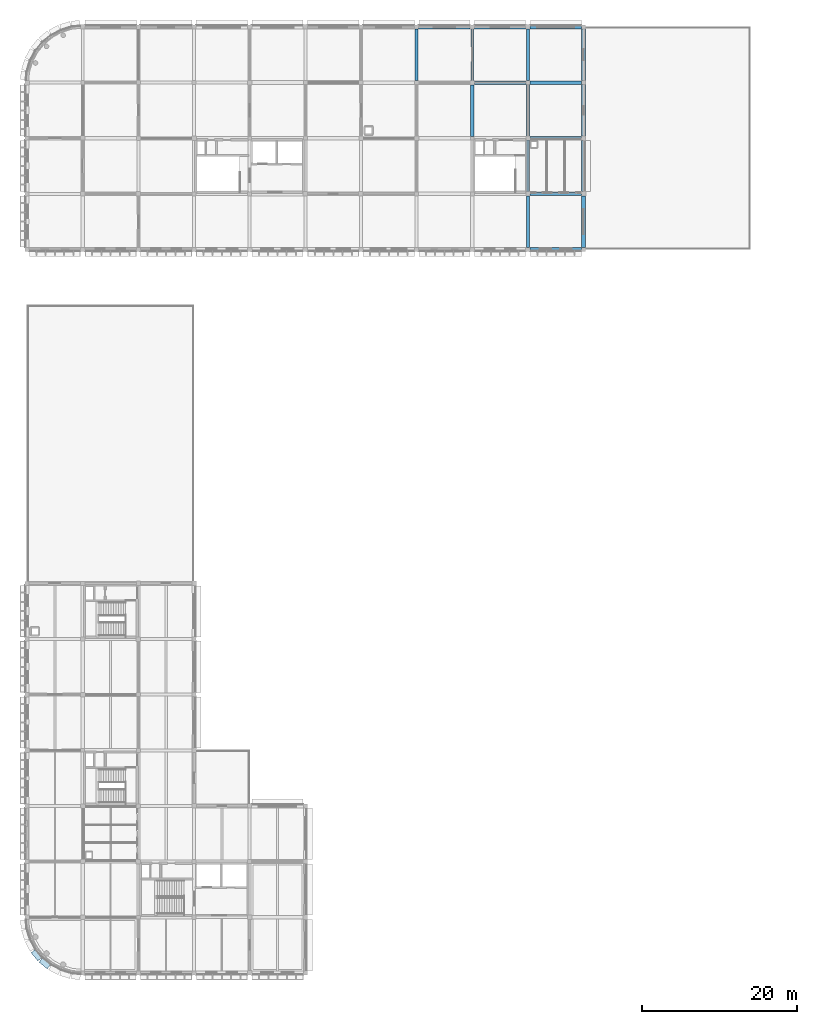
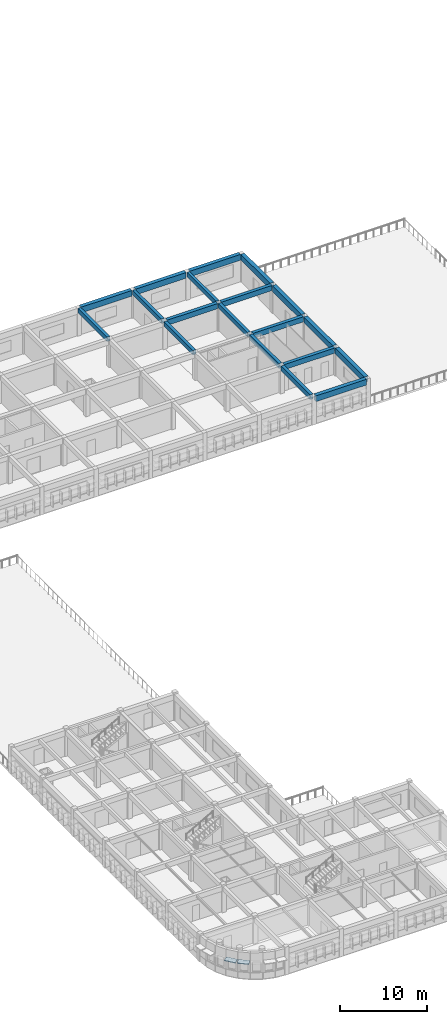
# One storey, part 4 of 22: 19 beams, 2 plates.
"""IFC4 building model written with IfcOpenShell, lengths in metres."""

from ifc_helpers import new_model, si_unit, direction, frame, origin, origin_2d, place, context, subcontext, project, spatial, rectangle, extrude, material, layer, layer_set, material_profile, profile_set, type_object, element, save


model = new_model("IFC4")

# Units and contexts
model_context = context("Model", 3, precision=1e-05, world=origin(), true_north=direction((0.0, 1.0)))
body_context = subcontext(model_context, "Body", "Model", "MODEL_VIEW")
ifc_project = project(units=[si_unit("LENGTHUNIT", "METRE"), si_unit("AREAUNIT", "SQUARE_METRE"), si_unit("VOLUMEUNIT", "CUBIC_METRE"), si_unit("PLANEANGLEUNIT", "RADIAN"), si_unit("MASSUNIT", "GRAM", prefix="KILO")], contexts=[model_context])

# Site, building, storey
site_placement = place(None, origin())
site = spatial("IfcSite", under=ifc_project, at=site_placement, CompositionType="ELEMENT")
building_placement = place(site_placement, origin())
building = spatial("IfcBuilding", under=site, at=building_placement, Name="Thalmaran Polytechnic", CompositionType="ELEMENT")
storey_placement = place(building_placement, frame((0.0, 0.0, 22.800048828125)))
storey = spatial("IfcBuildingStorey", under=building, at=storey_placement, Name="L05", CompositionType="ELEMENT", Elevation=22.800048828125)

# Beams
ifc_material_1 = material(Name="Concrete C40/50", Category="concrete")
ifc_material_profile_1 = material_profile(ifc_material_1, rectangle(XDim=0.449951171875, YDim=0.72509765625, at=origin_2d()), Name="RC 450x725")
ifc_profile_set_1 = profile_set([ifc_material_profile_1], Name="Concrete C40/50")
beam_type_1 = type_object("IfcBeamType", Name="BM-RC04", PredefinedType="BEAM", material=ifc_profile_set_1)
beam_1_placement = place(storey_placement, frame((57.889892578125, 115.199951171875, 3.537353515625), z_axis=(1.0, 0.0, 0.0), x_axis=(0.0, 1.0, 0.0)))
element("IfcBeam", 1, at=beam_1_placement, inside=storey, type_object=beam_type_1, Name="Grid Beam B04 L05 X(8,16)", PredefinedType="BEAM", context=body_context, shape_type="SweptSolid", body=[
    extrude(rectangle(XDim=0.449951171875, YDim=0.72509765625, at=origin_2d()), origin(), (0.0, 0.0, 1.0), 6.66015625),
])
ifc_material_profile_2 = material_profile(ifc_material_1, rectangle(XDim=0.39990234375, YDim=0.6298828125, at=origin_2d()), Name="RC 400x630")
ifc_profile_set_2 = profile_set([ifc_material_profile_2], Name="Concrete C40/50")
beam_type_2 = type_object("IfcBeamType", Name="BM-RC07", PredefinedType="BEAM", material=ifc_profile_set_2)
beam_2_placement = place(storey_placement, frame((57.60009765625, 108.25, 3.5849609375), z_axis=(0.0, 1.0, 0.0), x_axis=(-1.0, 0.0, 0.0)))
element("IfcBeam", 2, at=beam_2_placement, inside=storey, type_object=beam_type_2, Name="Grid Beam B07 L05 Y(8,15)", PredefinedType="BEAM", context=body_context, shape_type="SweptSolid", body=[
    extrude(rectangle(XDim=0.39990234375, YDim=0.6298828125, at=origin_2d()), origin(), (0.0, 0.0, 1.0), 6.659912109375),
])
beam_3_placement = place(storey_placement, frame((64.800048828125, 108.260009765625, 3.5849609375), z_axis=(0.0, 1.0, 0.0), x_axis=(-1.0, 0.0, 0.0)))
element("IfcBeam", 3, at=beam_3_placement, inside=storey, type_object=beam_type_2, Name="Grid Beam B07 L05 Y(9,15)", PredefinedType="BEAM", context=body_context, shape_type="SweptSolid", body=[
    extrude(rectangle(XDim=0.39990234375, YDim=0.6298828125, at=origin_2d()), origin(), (0.0, 0.0, 1.0), 6.68994140625),
])
ifc_material_profile_3 = material_profile(ifc_material_1, rectangle(XDim=0.389892578125, YDim=0.695068359375, at=origin_2d()), Name="RC 390x695")
ifc_profile_set_3 = profile_set([ifc_material_profile_3], Name="Concrete C40/50")
beam_type_3 = type_object("IfcBeamType", Name="BM-RC10", PredefinedType="BEAM", material=ifc_profile_set_3)
beam_4_placement = place(storey_placement, frame((64.800048828125, 101.074951171875, 3.552490234375), z_axis=(0.0, 1.0, 0.0), x_axis=(-1.0, 0.0, 0.0)))
element("IfcBeam", 4, at=beam_4_placement, inside=storey, type_object=beam_type_3, Name="Grid Beam B10 L05 Y(9,14)", PredefinedType="BEAM", context=body_context, shape_type="SweptSolid", body=[
    extrude(rectangle(XDim=0.389892578125, YDim=0.695068359375, at=origin_2d()), origin(), (0.0, 0.0, 1.0), 6.6650390625),
])
ifc_material_profile_4 = material_profile(ifc_material_1, rectangle(XDim=0.5, YDim=0.804931640625, at=origin_2d()), Name="RC 500x805")
ifc_profile_set_4 = profile_set([ifc_material_profile_4], Name="Concrete C40/50")
beam_type_4 = type_object("IfcBeamType", Name="BM-SP03", PredefinedType="SPANDREL", material=ifc_profile_set_4)
beam_5_placement = place(storey_placement, frame((50.659912109375, 122.39990234375, 3.49755859375), z_axis=(1.0, 0.0, 0.0), x_axis=(0.0, 1.0, 0.0)))
element("IfcBeam", 5, at=beam_5_placement, inside=storey, type_object=beam_type_4, Name="Grid Beam SP03 L05 X(7,17)", PredefinedType="SPANDREL", context=body_context, shape_type="SweptSolid", body=[
    extrude(rectangle(XDim=0.5, YDim=0.804931640625, at=origin_2d()), origin(), (0.0, 0.0, 1.0), 6.6650390625),
])
beam_6_placement = place(storey_placement, frame((57.875, 122.39990234375, 3.49755859375), z_axis=(1.0, 0.0, 0.0), x_axis=(0.0, 1.0, 0.0)))
element("IfcBeam", 6, at=beam_6_placement, inside=storey, type_object=beam_type_4, Name="Grid Beam SP03 L05 X(8,17)", PredefinedType="SPANDREL", context=body_context, shape_type="SweptSolid", body=[
    extrude(rectangle(XDim=0.5, YDim=0.804931640625, at=origin_2d()), origin(), (0.0, 0.0, 1.0), 6.635009765625),
])
for number, where, z_axis, x_axis, name in (
    (7, (65.090087890625, 93.60009765625, 3.49755859375), (1.0, 0.0, 0.0), (0.0, 1.0, 0.0), "Grid Beam SP03 L05 X(9,13)"),
    (8, (65.090087890625, 122.39990234375, 3.49755859375), (1.0, 0.0, 0.0), (0.0, 1.0, 0.0), "Grid Beam SP03 L05 X(9,17)"),
    (9, (72.0, 93.85009765625, 3.49755859375), (0.0, 1.0, 0.0), (-1.0, 0.0, 0.0), "Grid Beam SP03 L05 Y(10,13)"),
):
    element("IfcBeam", number, at=place(storey_placement, frame(where, z_axis=z_axis, x_axis=x_axis)), inside=storey, type_object=beam_type_4, Name=name, PredefinedType="SPANDREL", context=body_context, shape_type="SweptSolid", body=[
        extrude(rectangle(XDim=0.5, YDim=0.804931640625, at=origin_2d()), origin(), (0.0, 0.0, 1.0), 6.659912109375),
    ])
beam_7_placement = place(storey_placement, frame((72.0, 101.090087890625, 3.49755859375), z_axis=(0.0, 1.0, 0.0), x_axis=(-1.0, 0.0, 0.0)))
element("IfcBeam", 10, at=beam_7_placement, inside=storey, type_object=beam_type_4, Name="Grid Beam SP03 L05 Y(10,14)", PredefinedType="SPANDREL", context=body_context, shape_type="SweptSolid", body=[
    extrude(rectangle(XDim=0.5, YDim=0.804931640625, at=origin_2d()), origin(), (0.0, 0.0, 1.0), 6.635009765625),
])
beam_8_placement = place(storey_placement, frame((72.0, 108.27490234375, 3.49755859375), z_axis=(0.0, 1.0, 0.0), x_axis=(-1.0, 0.0, 0.0)))
element("IfcBeam", 11, at=beam_8_placement, inside=storey, type_object=beam_type_4, Name="Grid Beam SP03 L05 Y(10,15)", PredefinedType="SPANDREL", context=body_context, shape_type="SweptSolid", body=[
    extrude(rectangle(XDim=0.5, YDim=0.804931640625, at=origin_2d()), origin(), (0.0, 0.0, 1.0), 6.6650390625),
])
beam_9_placement = place(storey_placement, frame((72.0, 115.4599609375, 3.49755859375), z_axis=(0.0, 1.0, 0.0), x_axis=(-1.0, 0.0, 0.0)))
element("IfcBeam", 12, at=beam_9_placement, inside=storey, type_object=beam_type_4, Name="Grid Beam SP03 L05 Y(10,16)", PredefinedType="SPANDREL", context=body_context, shape_type="SweptSolid", body=[
    extrude(rectangle(XDim=0.5, YDim=0.804931640625, at=origin_2d()), origin(), (0.0, 0.0, 1.0), 6.68994140625),
])
ifc_material_profile_5 = material_profile(ifc_material_1, rectangle(XDim=0.43994140625, YDim=0.719970703125, at=origin_2d()), Name="RC 440x720")
ifc_profile_set_5 = profile_set([ifc_material_profile_5], Name="Concrete C40/50")
beam_type_5 = type_object("IfcBeamType", Name="BM-ZB03", PredefinedType="BEAM", material=ifc_profile_set_5)
beam_10_placement = place(storey_placement, frame((65.074951171875, 100.800048828125, 3.5400390625), z_axis=(1.0, 0.0, 0.0), x_axis=(0.0, 1.0, 0.0)))
element("IfcBeam", 13, at=beam_10_placement, inside=storey, type_object=beam_type_5, Name="Grid Beam ZB03 L05 X(9,14)", PredefinedType="BEAM", context=body_context, shape_type="SweptSolid", body=[
    extrude(rectangle(XDim=0.43994140625, YDim=0.719970703125, at=origin_2d()), origin(), (0.0, 0.0, 1.0), 6.635009765625),
])
beam_11_placement = place(storey_placement, frame((65.06005859375, 108.0, 3.5400390625), z_axis=(1.0, 0.0, 0.0), x_axis=(0.0, 1.0, 0.0)))
element("IfcBeam", 14, at=beam_11_placement, inside=storey, type_object=beam_type_5, Name="Grid Beam ZB03 L05 X(9,15)", PredefinedType="BEAM", context=body_context, shape_type="SweptSolid", body=[
    extrude(rectangle(XDim=0.43994140625, YDim=0.719970703125, at=origin_2d()), origin(), (0.0, 0.0, 1.0), 6.6650390625),
])
beam_12_placement = place(storey_placement, frame((65.050048828125, 115.199951171875, 3.5400390625), z_axis=(1.0, 0.0, 0.0), x_axis=(0.0, 1.0, 0.0)))
element("IfcBeam", 15, at=beam_12_placement, inside=storey, type_object=beam_type_5, Name="Grid Beam ZB03 L05 X(9,16)", PredefinedType="BEAM", context=body_context, shape_type="SweptSolid", body=[
    extrude(rectangle(XDim=0.43994140625, YDim=0.719970703125, at=origin_2d()), origin(), (0.0, 0.0, 1.0), 6.68994140625),
])
ifc_material_profile_6 = material_profile(ifc_material_1, rectangle(XDim=0.3798828125, YDim=0.635009765625, at=origin_2d()), Name="RC 380x635")
ifc_profile_set_6 = profile_set([ifc_material_profile_6], Name="Concrete C40/50")
beam_type_6 = type_object("IfcBeamType", Name="BM-ZB06", PredefinedType="BEAM", material=ifc_profile_set_6)
beam_13_placement = place(storey_placement, frame((50.39990234375, 115.47509765625, 3.58251953125), z_axis=(0.0, 1.0, 0.0), x_axis=(-1.0, 0.0, 0.0)))
element("IfcBeam", 16, at=beam_13_placement, inside=storey, type_object=beam_type_6, Name="Grid Beam ZB06 L05 Y(7,16)", PredefinedType="BEAM", context=body_context, shape_type="SweptSolid", body=[
    extrude(rectangle(XDim=0.3798828125, YDim=0.635009765625, at=origin_2d()), origin(), (0.0, 0.0, 1.0), 6.664794921875),
])
beam_14_placement = place(storey_placement, frame((57.60009765625, 115.489990234375, 3.58251953125), z_axis=(0.0, 1.0, 0.0), x_axis=(-1.0, 0.0, 0.0)))
element("IfcBeam", 17, at=beam_14_placement, inside=storey, type_object=beam_type_6, Name="Grid Beam ZB06 L05 Y(8,16)", PredefinedType="BEAM", context=body_context, shape_type="SweptSolid", body=[
    extrude(rectangle(XDim=0.3798828125, YDim=0.635009765625, at=origin_2d()), origin(), (0.0, 0.0, 1.0), 6.635009765625),
])
beam_15_placement = place(storey_placement, frame((64.800048828125, 115.449951171875, 3.58251953125), z_axis=(0.0, 1.0, 0.0), x_axis=(-1.0, 0.0, 0.0)))
element("IfcBeam", 18, at=beam_15_placement, inside=storey, type_object=beam_type_6, Name="Grid Beam ZB06 L05 Y(9,16)", PredefinedType="BEAM", context=body_context, shape_type="SweptSolid", body=[
    extrude(rectangle(XDim=0.3798828125, YDim=0.635009765625, at=origin_2d()), origin(), (0.0, 0.0, 1.0), 6.66015625),
])
ifc_material_profile_7 = material_profile(ifc_material_1, rectangle(XDim=0.39990234375, YDim=0.695068359375, at=origin_2d()), Name="RC 400x695")
ifc_profile_set_7 = profile_set([ifc_material_profile_7], Name="Concrete C40/50")
beam_type_7 = type_object("IfcBeamType", Name="BM-ZB08", PredefinedType="BEAM", material=ifc_profile_set_7)
beam_16_placement = place(storey_placement, frame((64.800048828125, 93.889892578125, 3.552490234375), z_axis=(0.0, 1.0, 0.0), x_axis=(-1.0, 0.0, 0.0)))
element("IfcBeam", 19, at=beam_16_placement, inside=storey, type_object=beam_type_7, Name="Grid Beam ZB08 L05 Y(9,13)", PredefinedType="BEAM", context=body_context, shape_type="SweptSolid", body=[
    extrude(rectangle(XDim=0.39990234375, YDim=0.695068359375, at=origin_2d()), origin(), (0.0, 0.0, 1.0), 6.635009765625),
])

# Plates
ifc_material_2 = material(Name="Anodised aluminium sun-hood eyebrow", Category="aluminium")
ifc_layer = layer(ifc_material_2, 0.0849609375, Name="Anodised aluminium sun-hood eyebrow")
ifc_layer_set = layer_set([ifc_layer], Name="Anodised aluminium sun-hood eyebrow")
plate_type = type_object("IfcPlateType", Name="PT-EB01", PredefinedType="SHEET", material=ifc_layer_set)
for number, where, z_axis, x_axis, name in (
    (20, (2.311767578125, 1.24365234375, 2.517578125), (0.0, 0.0, 1.0), (-0.773010453363, 0.634393284164, 0.0), "Streamline Sun-Hood Eyebrow L05-035"),
    (21, (1.24365234375, 2.311767578125, 2.517578125), (0.0, 0.0, 1.0), (-0.634393284164, 0.773010453363, 0.0), "Streamline Sun-Hood Eyebrow L05-036"),
):
    element("IfcPlate", number, at=place(storey_placement, frame(where, z_axis=z_axis, x_axis=x_axis)), inside=storey, type_object=plate_type, Name=name, PredefinedType="SHEET", context=body_context, shape_type="SweptSolid", body=[
        extrude(rectangle(XDim=1.371337890625, YDim=0.760009765625, at=origin_2d()), origin(), (0.0, 0.0, 1.0), 0.0849609375),
    ])

save(model, "model.ifc")
